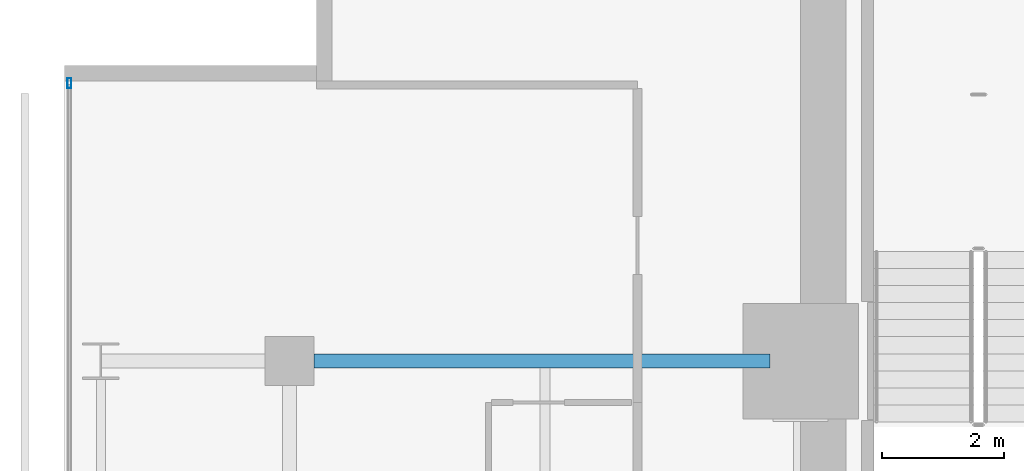
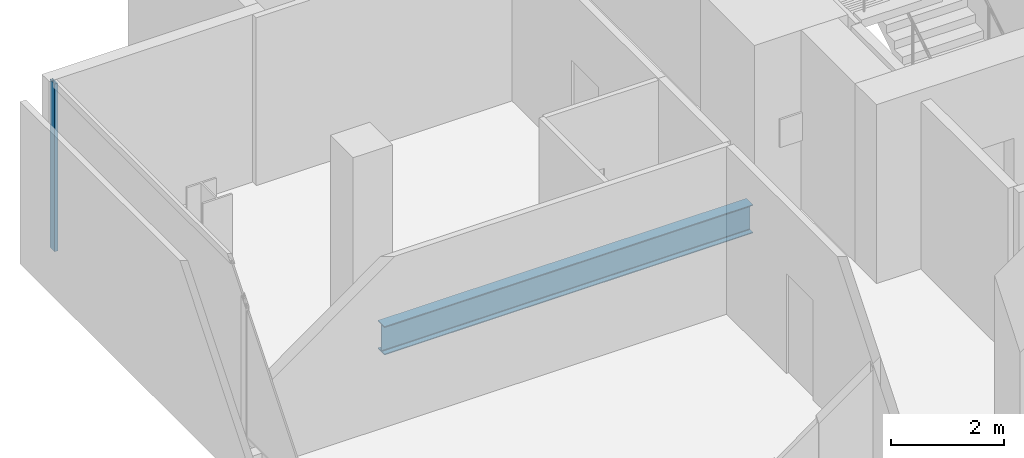
# One storey, part 20 of 34: 1 beam, 1 member, 1 element without a shape of its own.
"""IFC4 building model written with IfcOpenShell, lengths in metres."""

from ifc_helpers import new_model, si_unit, direction, frame, origin, origin_2d, place, context, subcontext, project, spatial, hollow_rectangle, i_section, extrude, material, layer, layer_set, material_profile, profile_set, type_object, element, aggregate, save


model = new_model("IFC4")

# Units and contexts
model_context = context("Model", 3, precision=1e-05, world=origin(), true_north=direction((0.0, 1.0)))
body_context = subcontext(model_context, "Body", "Model", "MODEL_VIEW")
ifc_project = project(units=[si_unit("LENGTHUNIT", "METRE"), si_unit("AREAUNIT", "SQUARE_METRE"), si_unit("VOLUMEUNIT", "CUBIC_METRE"), si_unit("PLANEANGLEUNIT", "RADIAN"), si_unit("MASSUNIT", "GRAM", prefix="KILO")], contexts=[model_context])

# Site, building, storey
site_placement = place(None, origin())
site = spatial("IfcSite", under=ifc_project, at=site_placement, CompositionType="ELEMENT")
building_placement = place(site_placement, origin())
building = spatial("IfcBuilding", under=site, at=building_placement, Name="Maruvema Waterfront Hotel and Observation Tower", CompositionType="ELEMENT")
storey_placement = place(building_placement, frame((0.0, 0.0, 131.25)))
storey = spatial("IfcBuildingStorey", under=building, at=storey_placement, Name="L31", CompositionType="ELEMENT", Elevation=131.25)

# Curtain wall, member
ifc_material_1 = material(Name="Anodised bronze aluminium and solar-control low-E IGU", Category="aluminium")
ifc_layer = layer(ifc_material_1, 0.159912109375, Name="Zone 2 Amber Inner Thermal Curtain Wall System CW-03")
ifc_layer_set = layer_set([ifc_layer], Name="Anodised bronze aluminium and solar-control low-E IGU")
curtain_wall_type = type_object("IfcCurtainWallType", Name="Zone 2 Amber Inner Thermal Curtain Wall System CW-03", PredefinedType="USERDEFINED", material=ifc_layer_set)
curtain_wall_placement = place(storey_placement, origin())
curtain_wall = element("IfcCurtainWall", 1, at=curtain_wall_placement, inside=storey, type_object=curtain_wall_type, Name="L31 Curtain Wall CW-L31-W", ObjectType="UNITISED CURTAIN WALL", PredefinedType="USERDEFINED")
ifc_material_2 = material(Name="Anodised architectural bronze aluminium", Category="aluminium")
ifc_material_profile_1 = material_profile(ifc_material_2, hollow_rectangle(XDim=0.06494140625, YDim=0.1650390625, WallThickness=0.00390625, at=origin_2d()), Name="ALU-M65x165")
ifc_profile_set_1 = profile_set([ifc_material_profile_1], Name="Anodised architectural bronze aluminium")
member_type = type_object("IfcMemberType", Name="Curtain Wall Primary Mullion ALU-M65x165", PredefinedType="MULLION", material=ifc_profile_set_1)
member_placement = place(storey_placement, frame((13.179931640625, 49.570068359375, 0.0), z_axis=(0.0, 0.0, 1.0), x_axis=(1.0, 0.0, 0.0)))
member = element("IfcMember", 2, at=member_placement, type_object=member_type, Name="CW-03 mullion 1", PredefinedType="MULLION", context=body_context, shape_type="SweptSolid", body=[
    extrude(hollow_rectangle(XDim=0.06494140625, YDim=0.1650390625, WallThickness=0.00390625, at=origin_2d()), origin(), (0.0, 0.0, 1.0), 3.610107421875),
])
aggregate(curtain_wall, [member])

# Beam
ifc_material_3 = material(Name="Steel ASTM A572 Grade 50", Category="steel")
ifc_material_profile_2 = material_profile(ifc_material_3, i_section(OverallWidth=0.22900390625, OverallDepth=0.612060546875, WebThickness=0.011962890625, FlangeThickness=0.01953125, FilletRadius=0.01806640625, at=origin_2d()), Name="W610x125.0")
ifc_profile_set_2 = profile_set([ifc_material_profile_2], Name="Steel ASTM A572 Grade 50")
beam_type = type_object("IfcBeamType", Name="Primary Floor Girder W610x125.0", PredefinedType="BEAM", material=ifc_profile_set_2)
beam_placement = place(storey_placement, frame((17.199951171875, 45.0, -0.5458984375), z_axis=(1.0, 0.0, 0.0), x_axis=(0.0, 1.0, 0.0)))
element("IfcBeam", 3, at=beam_placement, inside=storey, type_object=beam_type, Name="L31 Floor Girder EW-31", PredefinedType="BEAM", context=body_context, shape_type="SweptSolid", body=[
    extrude(i_section(OverallWidth=0.22900390625, OverallDepth=0.612060546875, WebThickness=0.011962890625, FlangeThickness=0.01953125, FilletRadius=0.01806640625, at=origin_2d()), origin(), (0.0, 0.0, 1.0), 7.5),
])

save(model, "model.ifc")
